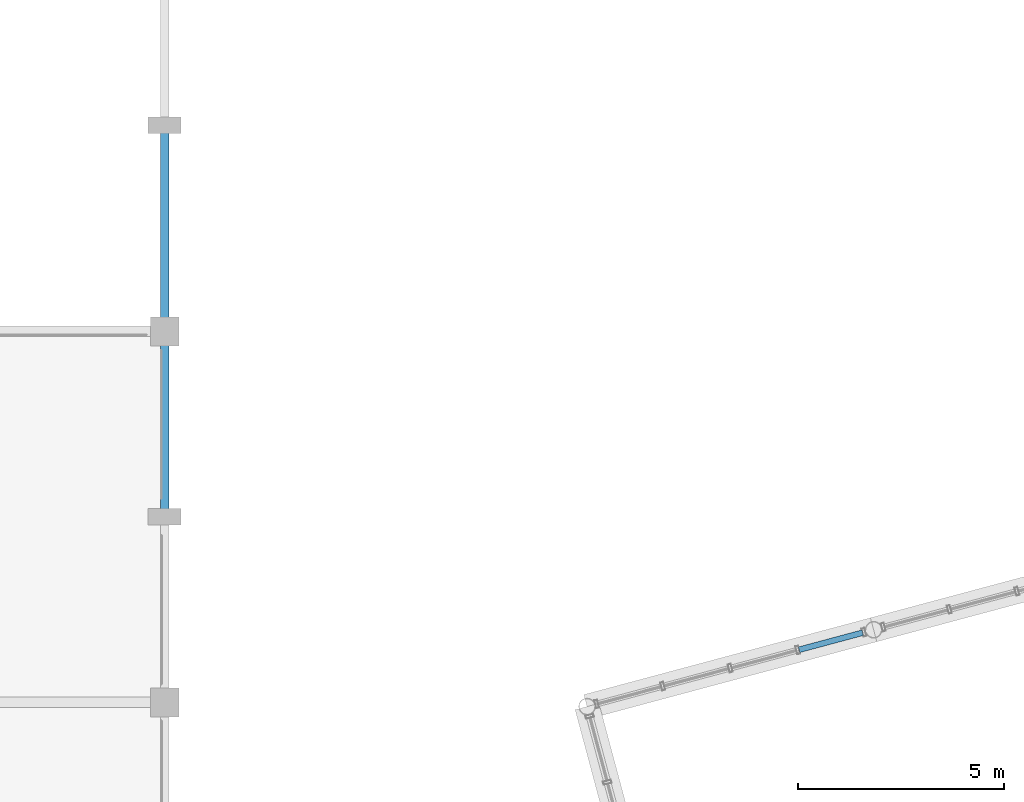
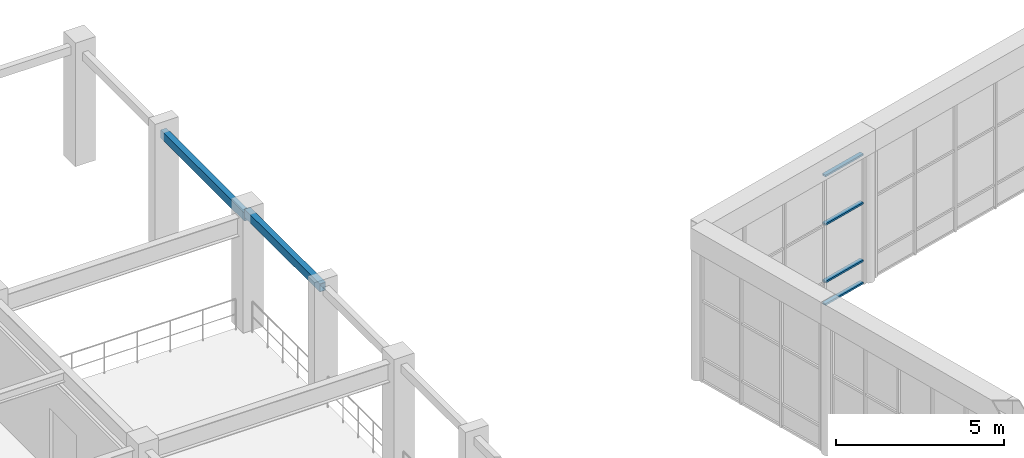
# One storey, part 27 of 55: 4 members, 2 beams, 1 element without a shape of its own.
"""IFC4 building model written with IfcOpenShell, lengths in metres."""

from ifc_helpers import new_model, si_unit, direction, frame, origin, origin_2d, place, context, subcontext, project, spatial, hollow_rectangle, extrude, material, layer, layer_set, material_profile, profile_set, type_object, element, aggregate, save


model = new_model("IFC4")

# Units and contexts
model_context = context("Model", 3, precision=1e-05, world=origin(), true_north=direction((0.0, 1.0)))
body_context = subcontext(model_context, "Body", "Model", "MODEL_VIEW")
ifc_project = project(units=[si_unit("LENGTHUNIT", "METRE"), si_unit("AREAUNIT", "SQUARE_METRE"), si_unit("VOLUMEUNIT", "CUBIC_METRE"), si_unit("PLANEANGLEUNIT", "RADIAN"), si_unit("MASSUNIT", "GRAM", prefix="KILO")], contexts=[model_context])

# Site, building, storey
site_placement = place(None, origin())
site = spatial("IfcSite", under=ifc_project, at=site_placement, CompositionType="ELEMENT")
building_placement = place(site_placement, origin())
building = spatial("IfcBuilding", under=site, at=building_placement, Name="Ventoquebrada Cableway Terminal", CompositionType="ELEMENT")
storey_placement = place(building_placement, frame((0.0, 0.0, 14.39990234375)))
storey = spatial("IfcBuildingStorey", under=building, at=storey_placement, Name="L03", CompositionType="ELEMENT", Elevation=14.39990234375)

# Curtain wall, members
ifc_material_1 = material(Name="Anodized thermally-broken aluminium", Category="aluminium")
ifc_layer = layer(ifc_material_1, 0.159912109375)
ifc_layer_set = layer_set([ifc_layer], Name="Anodized thermally-broken aluminium")
curtain_wall_type = type_object("IfcCurtainWallType", Name="CW-T42", PredefinedType="USERDEFINED", material=ifc_layer_set)
curtain_wall_placement = place(storey_placement, origin())
curtain_wall = element("IfcCurtainWall", 1, at=curtain_wall_placement, inside=storey, type_object=curtain_wall_type, Name="Unitised glazed curtain wall CW-120", ObjectType="UNITISED CURTAIN WALL", PredefinedType="USERDEFINED")
ifc_material_profile_1 = material_profile(ifc_material_1, hollow_rectangle(XDim=0.06494140625, YDim=0.139892578125, WallThickness=0.00390625, at=origin_2d()), Name="CW-TRN-65X140")
ifc_profile_set_1 = profile_set([ifc_material_profile_1], Name="Anodized thermally-broken aluminium")
member_type = type_object("IfcMemberType", Name="CWT-01", PredefinedType="USERDEFINED", material=ifc_profile_set_1)
member_1_placement = place(storey_placement, frame((51.93701171875, 96.69091796875, 0.03515625), z_axis=(-0.965825099292, -0.2591946712, 0.0), x_axis=(0.0, 0.0, 1.0)))
member_1 = element("IfcMember", 2, at=member_1_placement, type_object=member_type, Name="Curtain wall transom FTR-1712", ObjectType="TRANSOM", PredefinedType="USERDEFINED", context=body_context, shape_type="SweptSolid", body=[
    extrude(hollow_rectangle(XDim=0.06494140625, YDim=0.139892578125, WallThickness=0.00390625, at=origin_2d()), origin(), (0.0, 0.0, 1.0), 1.596435546875),
])
member_2_placement = place(storey_placement, frame((51.93701171875, 96.69091796875, 0.85009765625), z_axis=(-0.965825099292, -0.2591946712, 0.0), x_axis=(0.0, 0.0, 1.0)))
member_2 = element("IfcMember", 3, at=member_2_placement, type_object=member_type, Name="Curtain wall transom FTR-1713", ObjectType="TRANSOM", PredefinedType="USERDEFINED", context=body_context, shape_type="SweptSolid", body=[
    extrude(hollow_rectangle(XDim=0.06494140625, YDim=0.139892578125, WallThickness=0.00390625, at=origin_2d()), origin(), (0.0, 0.0, 1.0), 1.596435546875),
])
member_3_placement = place(storey_placement, frame((51.93701171875, 96.69091796875, 2.945068359375), z_axis=(-0.965825099292, -0.2591946712, 0.0), x_axis=(0.0, 0.0, 1.0)))
member_3 = element("IfcMember", 4, at=member_3_placement, type_object=member_type, Name="Curtain wall transom FTR-1714", ObjectType="TRANSOM", PredefinedType="USERDEFINED", context=body_context, shape_type="SweptSolid", body=[
    extrude(hollow_rectangle(XDim=0.06494140625, YDim=0.139892578125, WallThickness=0.00390625, at=origin_2d()), origin(), (0.0, 0.0, 1.0), 1.596435546875),
])
member_4_placement = place(storey_placement, frame((51.93701171875, 96.69091796875, 4.715087890625), z_axis=(-0.965825099292, -0.2591946712, 0.0), x_axis=(0.0, 0.0, 1.0)))
member_4 = element("IfcMember", 5, at=member_4_placement, type_object=member_type, Name="Curtain wall transom FTR-1715", ObjectType="TRANSOM", PredefinedType="USERDEFINED", context=body_context, shape_type="SweptSolid", body=[
    extrude(hollow_rectangle(XDim=0.06494140625, YDim=0.139892578125, WallThickness=0.00390625, at=origin_2d()), origin(), (0.0, 0.0, 1.0), 1.596435546875),
])
aggregate(curtain_wall, [member_1, member_2, member_3, member_4])

# Beams
ifc_material_2 = material(Name="Steel ASTM A500 Grade C", Category="steel")
ifc_material_profile_2 = material_profile(ifc_material_2, hollow_rectangle(XDim=0.199951171875, YDim=0.300048828125, WallThickness=0.012451171875, at=origin_2d()), Name="RHS300X200X12.5")
ifc_profile_set_2 = profile_set([ifc_material_profile_2], Name="Steel ASTM A500 Grade C")
beam_type = type_object("IfcBeamType", Name="SP-ST02", PredefinedType="SPANDREL", material=ifc_profile_set_2)
beam_1_placement = place(storey_placement, frame((35.0, 99.5, 4.080078125), z_axis=(0.0, 1.0, 0.0), x_axis=(-1.0, 0.0, 0.0)))
element("IfcBeam", 6, at=beam_1_placement, inside=storey, type_object=beam_type, Name="Perimeter spandrel beam FBM-0528", PredefinedType="SPANDREL", context=body_context, shape_type="SweptSolid", body=[
    extrude(hollow_rectangle(XDim=0.199951171875, YDim=0.300048828125, WallThickness=0.012451171875, at=origin_2d()), origin(), (0.0, 0.0, 1.0), 4.5),
])
beam_2_placement = place(storey_placement, frame((35.0, 104.0, 3.93017578125), z_axis=(0.0, 1.0, 0.0), x_axis=(-1.0, 0.0, 0.0)))
element("IfcBeam", 7, at=beam_2_placement, inside=storey, type_object=beam_type, Name="Perimeter spandrel beam FBM-0529", PredefinedType="SPANDREL", context=body_context, shape_type="SweptSolid", body=[
    extrude(hollow_rectangle(XDim=0.199951171875, YDim=0.300048828125, WallThickness=0.012451171875, at=origin_2d()), origin(), (0.0, 0.0, 1.0), 5.0),
])

save(model, "model.ifc")
